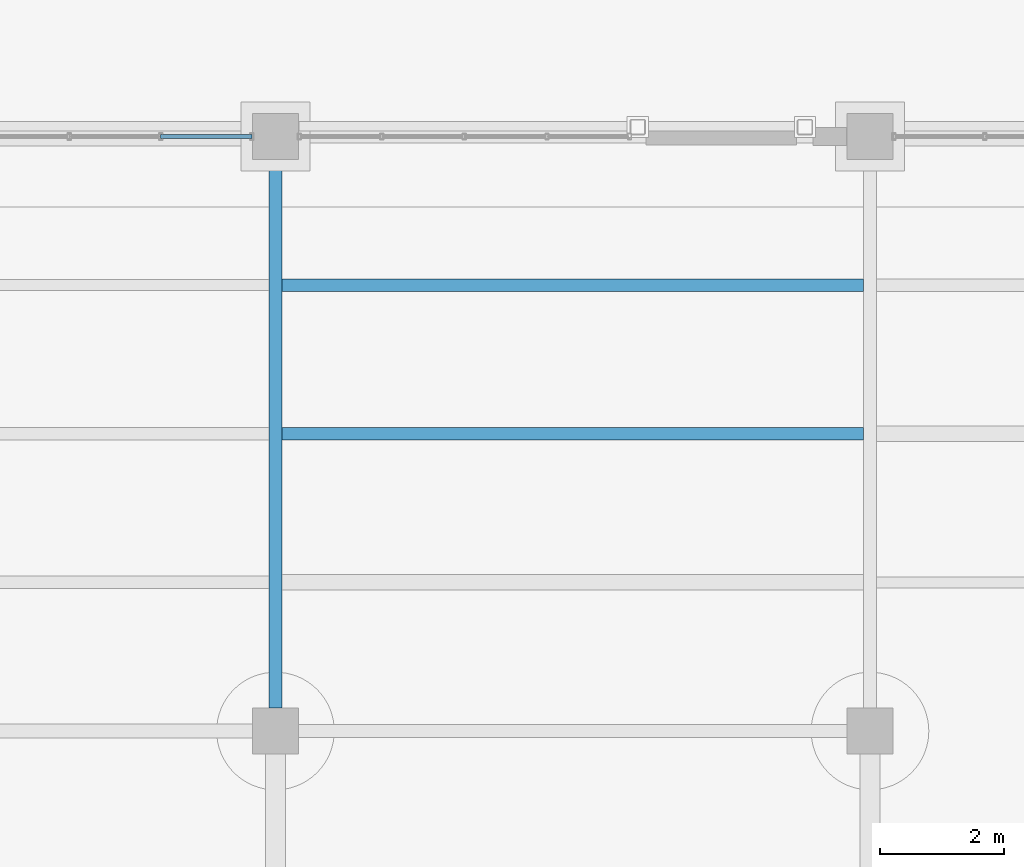
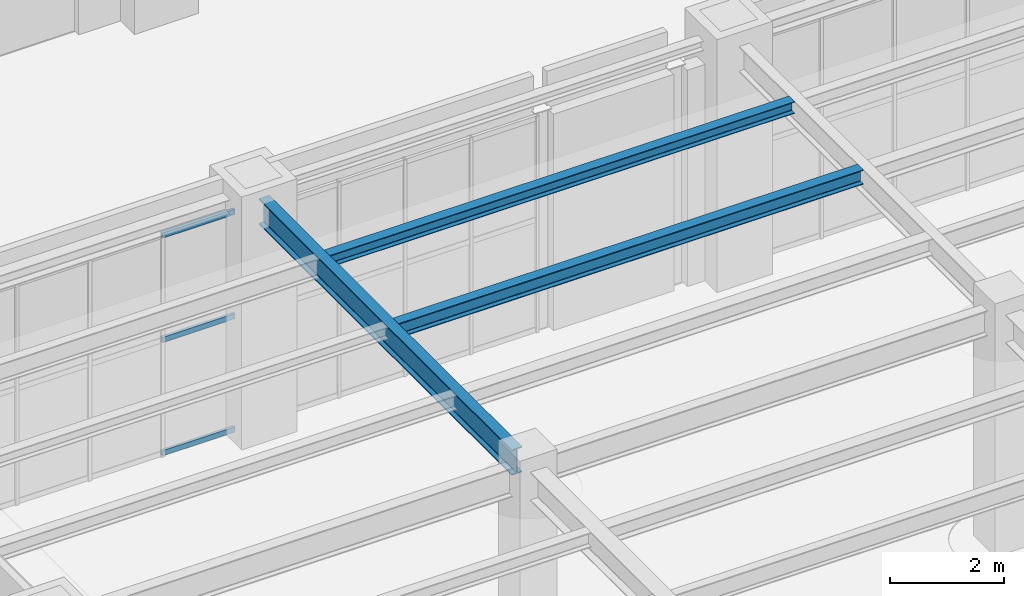
# One storey, part 32 of 164: 3 beams, 3 members, 1 element without a shape of its own.
"""IFC4 building model written with IfcOpenShell, lengths in metres."""

from ifc_helpers import new_model, si_unit, direction, frame, origin, origin_2d, place, context, subcontext, project, spatial, hollow_rectangle, i_section, extrude, material, material_profile, profile_set, type_object, element, aggregate, save


model = new_model("IFC4")

# Units and contexts
model_context = context("Model", 3, precision=1e-05, world=origin(), true_north=direction((0.0, 1.0)))
body_context = subcontext(model_context, "Body", "Model", "MODEL_VIEW")
ifc_project = project(units=[si_unit("LENGTHUNIT", "METRE"), si_unit("AREAUNIT", "SQUARE_METRE"), si_unit("VOLUMEUNIT", "CUBIC_METRE"), si_unit("PLANEANGLEUNIT", "RADIAN"), si_unit("MASSUNIT", "GRAM", prefix="KILO")], contexts=[model_context])

# Site, building, storey
site_placement = place(None, origin())
site = spatial("IfcSite", under=ifc_project, at=site_placement, CompositionType="ELEMENT")
building_placement = place(site_placement, origin())
building = spatial("IfcBuilding", under=site, at=building_placement, Name="Mavantir Sound Aquarium", CompositionType="ELEMENT")
storey_placement = place(building_placement, origin())
storey = spatial("IfcBuildingStorey", under=building, at=storey_placement, Name="L00", CompositionType="ELEMENT", Elevation=0.0)

# Beams
ifc_material_1 = material(Name="Structural Steel ASTM A992 Gr50", Category="steel")
ifc_material_profile_1 = material_profile(ifc_material_1, i_section(OverallWidth=0.202880859375, OverallDepth=0.251953125, WebThickness=0.008056640625, FlangeThickness=0.013427734375, FilletRadius=0.011962890625, at=origin_2d()), Name="W250X58")
ifc_profile_set_1 = profile_set([ifc_material_profile_1], Name="Structural Steel ASTM A992 Gr50")
beam_type_1 = type_object("IfcBeamType", Name="BM-W250X58-I", PredefinedType="JOIST", material=ifc_profile_set_1)
beam_1_placement = place(storey_placement, frame((9.7060546875, 26.39990234375, 4.969970703125), z_axis=(1.0, 0.0, 0.0), x_axis=(0.0, 1.0, 0.0)))
element("IfcBeam", 1, at=beam_1_placement, inside=storey, type_object=beam_type_1, Name="L00 secondary floor joist SJ-25 500", PredefinedType="JOIST", context=body_context, shape_type="SweptSolid", body=[
    extrude(i_section(OverallWidth=0.202880859375, OverallDepth=0.251953125, WebThickness=0.008056640625, FlangeThickness=0.013427734375, FilletRadius=0.011962890625, at=origin_2d()), origin(), (0.0, 0.0, 1.0), 9.387939453125),
])
ifc_material_profile_2 = material_profile(ifc_material_1, i_section(OverallWidth=0.205078125, OverallDepth=0.31005859375, WebThickness=0.009521484375, FlangeThickness=0.016357421875, FilletRadius=0.012939453125, at=origin_2d()), Name="W310X74")
ifc_profile_set_2 = profile_set([ifc_material_profile_2], Name="Structural Steel ASTM A992 Gr50")
beam_type_2 = type_object("IfcBeamType", Name="BM-W310X74-I", PredefinedType="JOIST", material=ifc_profile_set_2)
beam_2_placement = place(storey_placement, frame((9.7060546875, 24.0, 4.94091796875), z_axis=(1.0, 0.0, 0.0), x_axis=(0.0, 1.0, 0.0)))
element("IfcBeam", 2, at=beam_2_placement, inside=storey, type_object=beam_type_2, Name="L00 secondary floor joist SJ-31 499", PredefinedType="JOIST", context=body_context, shape_type="SweptSolid", body=[
    extrude(i_section(OverallWidth=0.205078125, OverallDepth=0.31005859375, WebThickness=0.009521484375, FlangeThickness=0.016357421875, FilletRadius=0.012939453125, at=origin_2d()), origin(), (0.0, 0.0, 1.0), 9.387939453125),
])
ifc_material_profile_3 = material_profile(ifc_material_1, i_section(OverallWidth=0.2119140625, OverallDepth=0.5439453125, WebThickness=0.01318359375, FlangeThickness=0.021240234375, FilletRadius=0.01806640625, at=origin_2d()), Name="W530X123")
ifc_profile_set_3 = profile_set([ifc_material_profile_3], Name="Structural Steel ASTM A992 Gr50")
beam_type_3 = type_object("IfcBeamType", Name="BM-W530X123-I", PredefinedType="BEAM", material=ifc_profile_set_3)
beam_3_placement = place(storey_placement, frame((9.60009765625, 19.574951171875, 4.823974609375), z_axis=(0.0, 1.0, 0.0), x_axis=(-1.0, 0.0, 0.0)))
element("IfcBeam", 3, at=beam_3_placement, inside=storey, type_object=beam_type_3, Name="L00 primary girder SB-53 911", PredefinedType="BEAM", context=body_context, shape_type="SweptSolid", body=[
    extrude(i_section(OverallWidth=0.2119140625, OverallDepth=0.5439453125, WebThickness=0.01318359375, FlangeThickness=0.021240234375, FilletRadius=0.01806640625, at=origin_2d()), origin(), (0.0, 0.0, 1.0), 8.85009765625),
])

# Curtain wall, members
ifc_material_2 = material(Name="Anodised Marine Aluminium and Low-E Glass", Category="aluminium")
curtain_wall_type = type_object("IfcCurtainWallType", Name="CW-T10", PredefinedType="USERDEFINED", material=ifc_material_2)
curtain_wall_placement = place(storey_placement, origin())
curtain_wall = element("IfcCurtainWall", 4, at=curtain_wall_placement, inside=storey, type_object=curtain_wall_type, Name="L00 unitised curtain wall CW-10 10", ObjectType="UNITISED GLAZING", PredefinedType="USERDEFINED")
ifc_material_3 = material(Name="Anodised Marine Aluminium 6063-T6", Category="aluminium")
ifc_material_profile_4 = material_profile(ifc_material_3, hollow_rectangle(XDim=0.06005859375, YDim=0.110107421875, WallThickness=0.00390625, at=origin_2d()), Name="ALU-TRANSOM-110X60")
ifc_profile_set_4 = profile_set([ifc_material_profile_4], Name="Anodised Marine Aluminium 6063-T6")
member_type = type_object("IfcMemberType", Name="CW-TRN-110", PredefinedType="USERDEFINED", material=ifc_profile_set_4)
member_1_placement = place(storey_placement, frame((9.217041015625, 28.800048828125, 0.054931640625), z_axis=(-1.0, 0.0, 0.0), x_axis=(0.0, -1.0, 0.0)))
member_1 = element("IfcMember", 5, at=member_1_placement, type_object=member_type, Name="CW-L00-010 transom 1.1", ObjectType="TRANSOM", PredefinedType="USERDEFINED", context=body_context, shape_type="SweptSolid", body=[
    extrude(hollow_rectangle(XDim=0.06005859375, YDim=0.110107421875, WallThickness=0.00390625, at=origin_2d()), origin(), (0.0, 0.0, 1.0), 1.472412109375),
])
member_2_placement = place(storey_placement, frame((9.217041015625, 28.800048828125, 2.47412109375), z_axis=(-1.0, 0.0, 0.0), x_axis=(0.0, -1.0, 0.0)))
member_2 = element("IfcMember", 6, at=member_2_placement, type_object=member_type, Name="CW-L00-010 transom 1.2", ObjectType="TRANSOM", PredefinedType="USERDEFINED", context=body_context, shape_type="SweptSolid", body=[
    extrude(hollow_rectangle(XDim=0.06005859375, YDim=0.110107421875, WallThickness=0.00390625, at=origin_2d()), origin(), (0.0, 0.0, 1.0), 1.472412109375),
])
member_3_placement = place(storey_placement, frame((9.217041015625, 28.800048828125, 4.702880859375), z_axis=(-1.0, 0.0, 0.0), x_axis=(0.0, -1.0, 0.0)))
member_3 = element("IfcMember", 7, at=member_3_placement, type_object=member_type, Name="CW-L00-010 transom 1.3", ObjectType="TRANSOM", PredefinedType="USERDEFINED", context=body_context, shape_type="SweptSolid", body=[
    extrude(hollow_rectangle(XDim=0.06005859375, YDim=0.110107421875, WallThickness=0.00390625, at=origin_2d()), origin(), (0.0, 0.0, 1.0), 1.472412109375),
])
aggregate(curtain_wall, [member_1, member_2, member_3])

save(model, "model.ifc")
